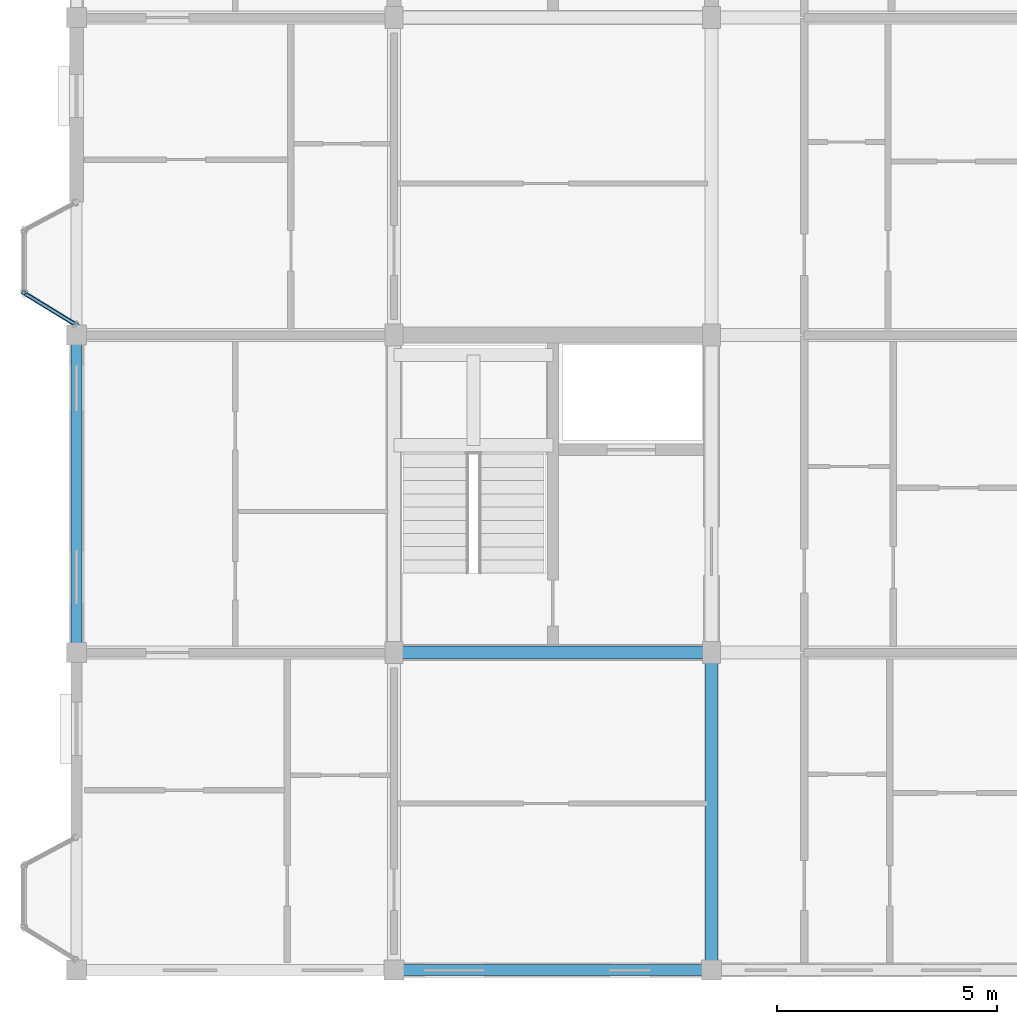
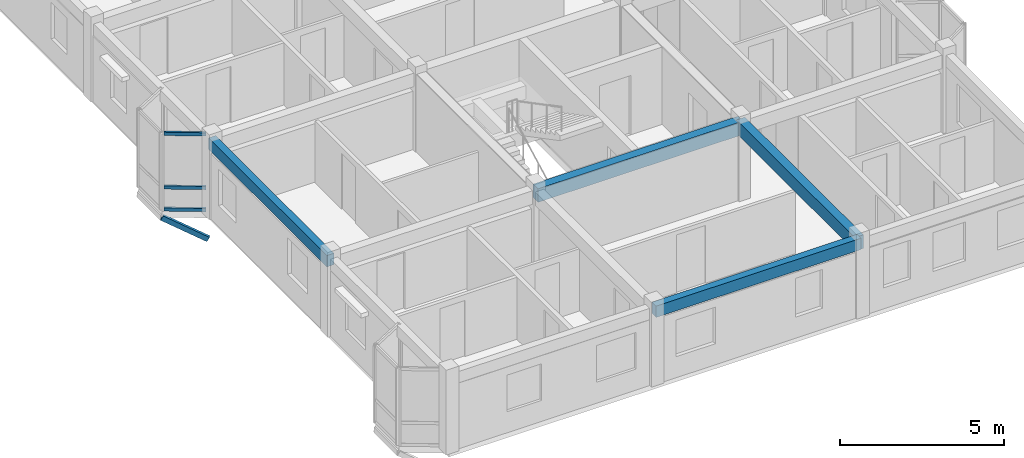
# One storey, part 4 of 23: 4 beams, 4 members, 1 element without a shape of its own.
"""IFC4 building model written with IfcOpenShell, lengths in metres."""

from ifc_helpers import new_model, si_unit, direction, frame, origin, origin_2d, place, context, subcontext, project, spatial, rectangle, hollow_rectangle, extrude, material, layer, layer_set, material_profile, profile_set, type_object, element, aggregate, save


model = new_model("IFC4")

# Units and contexts
model_context = context("Model", 3, precision=1e-05, world=origin(), true_north=direction((0.0, 1.0)))
body_context = subcontext(model_context, "Body", "Model", "MODEL_VIEW")
ifc_project = project(units=[si_unit("LENGTHUNIT", "METRE"), si_unit("AREAUNIT", "SQUARE_METRE"), si_unit("VOLUMEUNIT", "CUBIC_METRE"), si_unit("PLANEANGLEUNIT", "RADIAN"), si_unit("MASSUNIT", "GRAM", prefix="KILO"), si_unit("THERMODYNAMICTEMPERATUREUNIT", "KELVIN"), si_unit("POWERUNIT", "WATT")], contexts=[model_context])

# Site, building, storey
site_placement = place(None, origin())
site = spatial("IfcSite", under=ifc_project, at=site_placement, CompositionType="ELEMENT")
building_placement = place(site_placement, origin())
building = spatial("IfcBuilding", under=site, at=building_placement, Name="Tavuni Mirador Residences", CompositionType="ELEMENT")
storey_placement = place(building_placement, frame((0.0, 0.0, 42.300048828125)))
storey = spatial("IfcBuildingStorey", under=building, at=storey_placement, Name="L13", CompositionType="ELEMENT", Elevation=42.300048828125)

# Beams
ifc_material_1 = material(Name="Precast concrete C40/50", Category="concrete")
ifc_material_profile_1 = material_profile(ifc_material_1, rectangle(XDim=0.300048828125, YDim=0.5, at=origin_2d()), Name="PC 300x500", Category="concrete")
ifc_profile_set_1 = profile_set([ifc_material_profile_1], Name="Precast concrete C40/50")
beam_type_1 = type_object("IfcBeamType", Name="BT-B500", PredefinedType="BEAM", material=ifc_profile_set_1)
for number, where, z_axis, x_axis, name in (
    (1, (10.800048828125, 14.39990234375, 2.619873046875), (1.0, 0.0, 0.0), (0.0, 1.0, 0.0), "BMX-BLK-A-L13-01-01"),
    (2, (18.0, 7.199951171875, 2.619873046875), (0.0, 1.0, 0.0), (-1.0, 0.0, 0.0), "BMY-BLK-A-L13-02-00"),
):
    element("IfcBeam", number, at=place(storey_placement, frame(where, z_axis=z_axis, x_axis=x_axis)), inside=storey, type_object=beam_type_1, Name=name, PredefinedType="BEAM", context=body_context, shape_type="SweptSolid", body=[
        extrude(rectangle(XDim=0.300048828125, YDim=0.5, at=origin_2d()), origin(), (0.0, 0.0, 1.0), 7.199951171875),
    ])
ifc_material_profile_2 = material_profile(ifc_material_1, rectangle(XDim=0.25, YDim=0.419921875, at=origin_2d()), Name="PC 250x420", Category="concrete")
ifc_profile_set_2 = profile_set([ifc_material_profile_2], Name="Precast concrete C40/50")
beam_type_2 = type_object("IfcBeamType", Name="BT-SP420", PredefinedType="SPANDREL", material=ifc_profile_set_2)
beam_1_placement = place(storey_placement, frame((10.800048828125, 7.199951171875, 2.659912109375), z_axis=(1.0, 0.0, 0.0), x_axis=(0.0, 1.0, 0.0)))
element("IfcBeam", 3, at=beam_1_placement, inside=storey, type_object=beam_type_2, Name="BMX-BLK-A-L13-01-00", PredefinedType="SPANDREL", context=body_context, shape_type="SweptSolid", body=[
    extrude(rectangle(XDim=0.25, YDim=0.419921875, at=origin_2d()), origin(), (0.0, 0.0, 1.0), 7.199951171875),
])
beam_2_placement = place(storey_placement, frame((3.60009765625, 14.39990234375, 2.659912109375), z_axis=(0.0, 1.0, 0.0), x_axis=(-1.0, 0.0, 0.0)))
element("IfcBeam", 4, at=beam_2_placement, inside=storey, type_object=beam_type_2, Name="BMY-BLK-A-L13-00-01", PredefinedType="SPANDREL", context=body_context, shape_type="SweptSolid", body=[
    extrude(rectangle(XDim=0.25, YDim=0.419921875, at=origin_2d()), origin(), (0.0, 0.0, 1.0), 7.2001953125),
])

# Curtain wall, members
ifc_material_2 = material(Name="Anodised aluminium", Category="aluminium")
ifc_layer = layer(ifc_material_2, 0.159912109375, Name="Anodised aluminium", Category="aluminium")
ifc_layer_set = layer_set([ifc_layer], Name="Anodised aluminium")
curtain_wall_type = type_object("IfcCurtainWallType", Name="CWT-MIR-D", PredefinedType="NOTDEFINED", material=ifc_layer_set)
curtain_wall_placement = place(storey_placement, origin())
curtain_wall = element("IfcCurtainWall", 5, at=curtain_wall_placement, inside=storey, type_object=curtain_wall_type, Name="CW-MIR-A-W2-L13-M2", PredefinedType="NOTDEFINED")
ifc_material_profile_3 = material_profile(ifc_material_2, hollow_rectangle(XDim=0.06494140625, YDim=0.125, WallThickness=0.00439453125, at=origin_2d()), Name="ALU 65x125x4.5", Category="aluminium")
ifc_profile_set_3 = profile_set([ifc_material_profile_3], Name="Anodised aluminium")
member_type_1 = type_object("IfcMemberType", Name="CWT-125", PredefinedType="USERDEFINED", material=ifc_profile_set_3)
member_1_placement = place(storey_placement, frame((2.455322265625, 22.526123046875, 0.032470703125), z_axis=(0.852752286759, -0.522315553499, 0.0), x_axis=(0.522315553499, 0.852752286759, 0.0)))
member_1 = element("IfcMember", 6, at=member_1_placement, type_object=member_type_1, Name="CW-04 transom 1.1", ObjectType="TRANSOM", PredefinedType="USERDEFINED", context=body_context, shape_type="SweptSolid", body=[
    extrude(hollow_rectangle(XDim=0.06494140625, YDim=0.125, WallThickness=0.00439453125, at=origin_2d()), origin(), (0.0, 0.0, 1.0), 1.27734375),
])
member_2_placement = place(storey_placement, frame((2.455322265625, 22.526123046875, 0.849853515625), z_axis=(0.852752286759, -0.522315553499, 0.0), x_axis=(0.522315553499, 0.852752286759, 0.0)))
member_2 = element("IfcMember", 7, at=member_2_placement, type_object=member_type_1, Name="CW-04 transom 1.2", ObjectType="TRANSOM", PredefinedType="USERDEFINED", context=body_context, shape_type="SweptSolid", body=[
    extrude(hollow_rectangle(XDim=0.06494140625, YDim=0.125, WallThickness=0.00439453125, at=origin_2d()), origin(), (0.0, 0.0, 1.0), 1.27734375),
])
member_3_placement = place(storey_placement, frame((2.455322265625, 22.526123046875, 2.83740234375), z_axis=(0.852752286759, -0.522315553499, 0.0), x_axis=(0.522315553499, 0.852752286759, 0.0)))
member_3 = element("IfcMember", 8, at=member_3_placement, type_object=member_type_1, Name="CW-04 transom 1.3", ObjectType="TRANSOM", PredefinedType="USERDEFINED", context=body_context, shape_type="SweptSolid", body=[
    extrude(hollow_rectangle(XDim=0.06494140625, YDim=0.125, WallThickness=0.00439453125, at=origin_2d()), origin(), (0.0, 0.0, 1.0), 1.27734375),
])
aggregate(curtain_wall, [member_1, member_2, member_3])

# Member
ifc_material_3 = material(Name="Structural steel S355", Category="steel")
ifc_material_profile_4 = material_profile(ifc_material_3, hollow_rectangle(XDim=0.10009765625, YDim=0.179931640625, WallThickness=0.008056640625, at=origin_2d()), Name="RHS 180x100x8.0", Category="steel")
ifc_profile_set_4 = profile_set([ifc_material_profile_4], Name="Structural steel S355")
member_type_2 = type_object("IfcMemberType", Name="MT-BR-RHS180", PredefinedType="BRACE", material=ifc_profile_set_4)
member_4_placement = place(storey_placement, frame((3.60009765625, 21.824951171875, -1.050048828125), z_axis=(-0.748111041241, 0.45821040382, 0.479971973978), x_axis=(-0.522305771944, -0.852758277939, 0.0)))
element("IfcMember", 9, at=member_4_placement, inside=storey, type_object=member_type_2, Name="MBRK-MIR-A-W2-L13-1", PredefinedType="BRACE", context=body_context, shape_type="SweptSolid", body=[
    extrude(hollow_rectangle(XDim=0.10009765625, YDim=0.179931640625, WallThickness=0.008056640625, at=origin_2d()), origin(), (0.0, 0.0, 1.0), 1.604248046875),
])

save(model, "model.ifc")
